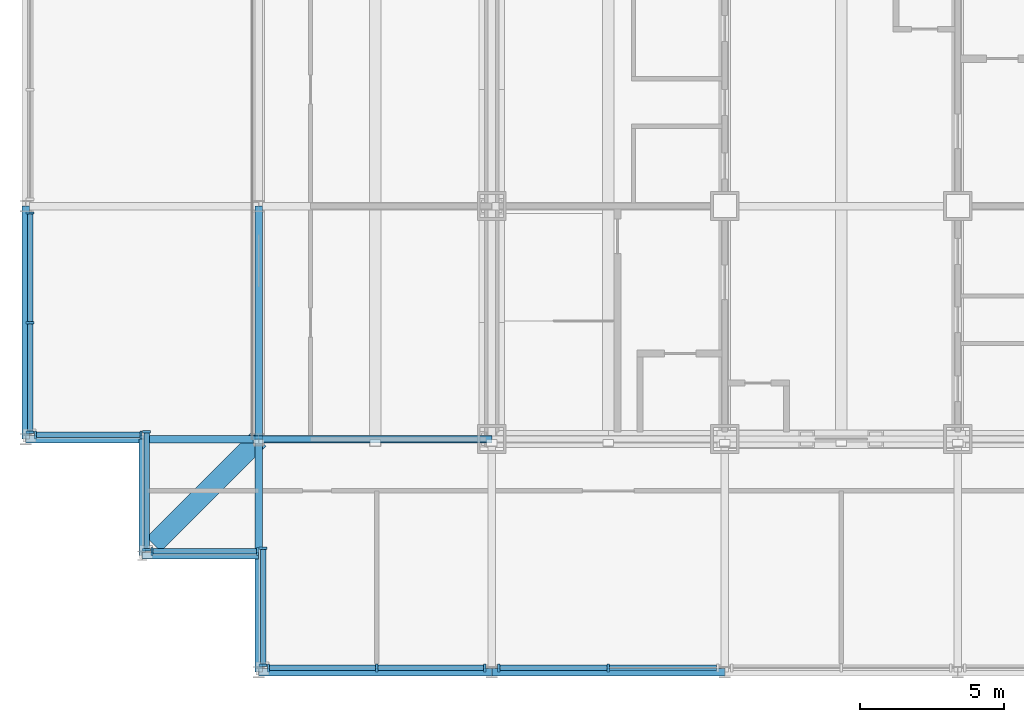
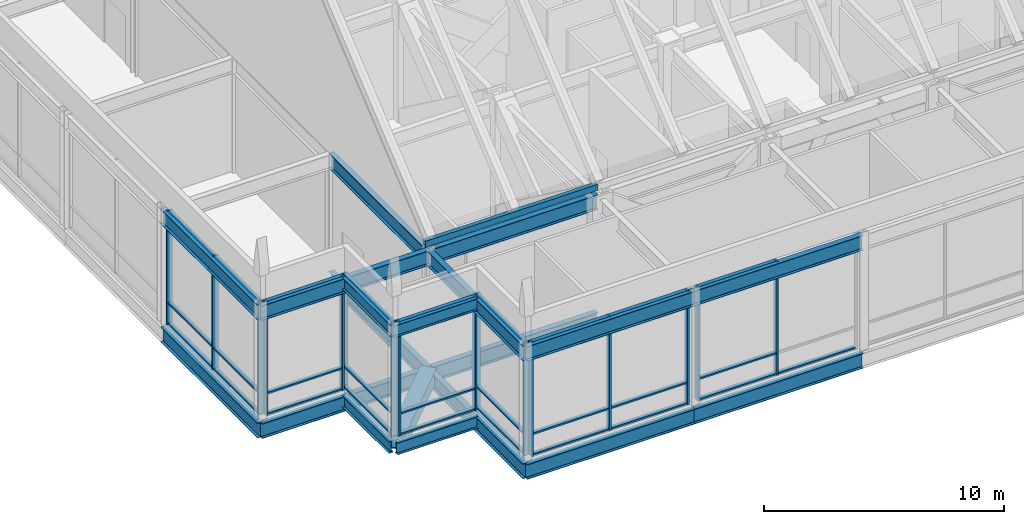
# One storey, part 5 of 22: 44 members, 20 beams, 7 elements without a shape of their own.
"""IFC4 building model written with IfcOpenShell, lengths in metres."""

from ifc_helpers import new_model, si_unit, direction, frame, origin, origin_2d, place, context, subcontext, project, spatial, rectangle, hollow_rectangle, i_section, extrude, material, material_profile, profile_set, type_object, element, aggregate, save


model = new_model("IFC4")

# Units and contexts
model_context = context("Model", 3, precision=1e-05, world=origin(), true_north=direction((0.0, 1.0)))
body_context = subcontext(model_context, "Body", "Model", "MODEL_VIEW")
ifc_project = project(units=[si_unit("LENGTHUNIT", "METRE"), si_unit("AREAUNIT", "SQUARE_METRE"), si_unit("VOLUMEUNIT", "CUBIC_METRE"), si_unit("PLANEANGLEUNIT", "RADIAN"), si_unit("MASSUNIT", "GRAM", prefix="KILO")], contexts=[model_context])

# Site, building, storey
site_placement = place(None, origin())
site = spatial("IfcSite", under=ifc_project, at=site_placement, CompositionType="ELEMENT")
building_placement = place(site_placement, origin())
building = spatial("IfcBuilding", under=site, at=building_placement, Name="Kopane Lantern Tower", CompositionType="ELEMENT")
storey_placement = place(building_placement, frame((0.0, 0.0, 303.89990234375)))
storey = spatial("IfcBuildingStorey", under=building, at=storey_placement, Name="L77", CompositionType="ELEMENT", Elevation=303.89990234375)

# Beams
ifc_material_1 = material(Name="Steel S355JR", Category="steel")
ifc_material_profile_1 = material_profile(ifc_material_1, hollow_rectangle(XDim=0.699951171875, YDim=0.699951171875, WallThickness=0.06005859375, at=origin_2d()), Name="BOX 700x700x60")
ifc_profile_set_1 = profile_set([ifc_material_profile_1], Name="Steel S355JR")
beam_type_1 = type_object("IfcBeamType", Name="CORNER TIE BEAM BOX 700x700x60", PredefinedType="BEAM", material=ifc_profile_set_1)
beam_1_placement = place(storey_placement, frame((4.447509765625, 20.6474609375, -0.559814453125), z_axis=(0.707106781187, 0.707106781187, 0.0), x_axis=(-0.707106781187, 0.707106781187, 0.0)))
element("IfcBeam", 1, at=beam_1_placement, inside=storey, type_object=beam_type_1, Name="Corner Tie Beam L77", PredefinedType="BEAM", context=body_context, shape_type="SweptSolid", body=[
    extrude(hollow_rectangle(XDim=0.699951171875, YDim=0.699951171875, WallThickness=0.06005859375, at=origin_2d()), origin(), (0.0, 0.0, 1.0), 5.16552734375),
])
ifc_material_2 = material(Name="Steel S355JR", Category="steel")
ifc_material_profile_2 = material_profile(ifc_material_2, i_section(OverallWidth=0.22900390625, OverallDepth=0.6123046875, WebThickness=0.011962890625, FlangeThickness=0.01953125, FilletRadius=0.0126953125, at=origin_2d()), Name="UB 610x229x125")
ifc_profile_set_2 = profile_set([ifc_material_profile_2], Name="Steel S355JR")
beam_type_2 = type_object("IfcBeamType", Name="EDGE BEAM UB 610x229x125", PredefinedType="BEAM", material=ifc_profile_set_2)
beam_2_placement = place(storey_placement, frame((4.050048828125, 20.40380859375, -0.51611328125), z_axis=(0.0, 1.0, 0.0), x_axis=(-1.0, 0.0, 0.0)))
element("IfcBeam", 2, at=beam_2_placement, inside=storey, type_object=beam_type_2, Name="Edge Beam L77", PredefinedType="BEAM", context=body_context, shape_type="SweptSolid", body=[
    extrude(i_section(OverallWidth=0.22900390625, OverallDepth=0.6123046875, WebThickness=0.011962890625, FlangeThickness=0.01953125, FilletRadius=0.0126953125, at=origin_2d()), origin(), (0.0, 0.0, 1.0), 3.896240234375),
])
beam_3_placement = place(storey_placement, frame((4.20361328125, 20.25, -0.51611328125), z_axis=(1.0, 0.0, 0.0), x_axis=(0.0, 1.0, 0.0)))
element("IfcBeam", 3, at=beam_3_placement, inside=storey, type_object=beam_type_2, Name="Edge Beam L77", PredefinedType="BEAM", context=body_context, shape_type="SweptSolid", body=[
    extrude(i_section(OverallWidth=0.22900390625, OverallDepth=0.6123046875, WebThickness=0.011962890625, FlangeThickness=0.01953125, FilletRadius=0.0126953125, at=origin_2d()), origin(), (0.0, 0.0, 1.0), 3.896484375),
])
for number, where, z_axis, x_axis, name in (
    (4, (4.050048828125, 20.25, 5.493896484375), (1.0, 0.0, 0.0), (0.0, 1.0, 0.0), "Edge Beam roof"),
    (5, (4.050048828125, 20.25, 5.493896484375), (0.0, 1.0, 0.0), (-1.0, 0.0, 0.0), "Edge Beam roof"),
):
    element("IfcBeam", number, at=place(storey_placement, frame(where, z_axis=z_axis, x_axis=x_axis)), inside=storey, type_object=beam_type_2, Name=name, PredefinedType="BEAM", context=body_context, shape_type="SweptSolid", body=[
        extrude(i_section(OverallWidth=0.22900390625, OverallDepth=0.6123046875, WebThickness=0.011962890625, FlangeThickness=0.01953125, FilletRadius=0.0126953125, at=origin_2d()), origin(), (0.0, 0.0, 1.0), 4.050048828125),
    ])
ifc_material_3 = material(Name="Steel S355JR", Category="steel")
ifc_material_profile_3 = material_profile(ifc_material_3, i_section(OverallWidth=0.2666015625, OverallDepth=0.76220703125, WebThickness=0.014404296875, FlangeThickness=0.021484375, FilletRadius=0.0166015625, at=origin_2d()), Name="UB 762x267x173")
ifc_profile_set_3 = profile_set([ifc_material_profile_3], Name="Steel S355JR")
beam_type_3 = type_object("IfcBeamType", Name="GIRDER UB 762x267x173", PredefinedType="BEAM", material=ifc_profile_set_3)
beam_4_placement = place(storey_placement, frame((0.0, 24.300048828125, -0.591064453125), z_axis=(0.0, 1.0, 0.0), x_axis=(-1.0, 0.0, 0.0)))
element("IfcBeam", 6, at=beam_4_placement, inside=storey, type_object=beam_type_3, Name="Girder L77", PredefinedType="BEAM", context=body_context, shape_type="SweptSolid", body=[
    extrude(i_section(OverallWidth=0.2666015625, OverallDepth=0.76220703125, WebThickness=0.014404296875, FlangeThickness=0.021484375, FilletRadius=0.0166015625, at=origin_2d()), origin(), (0.0, 0.0, 1.0), 8.099853515625),
])
for number, where, z_axis, x_axis, name in (
    (7, (0.0, 24.300048828125, -0.591064453125), (1.0, 0.0, 0.0), (0.0, 1.0, 0.0), "Girder L77"),
    (8, (8.10009765625, 16.199951171875, -0.591064453125), (0.0, 1.0, 0.0), (-1.0, 0.0, 0.0), "Girder L77"),
):
    element("IfcBeam", number, at=place(storey_placement, frame(where, z_axis=z_axis, x_axis=x_axis)), inside=storey, type_object=beam_type_3, Name=name, PredefinedType="BEAM", context=body_context, shape_type="SweptSolid", body=[
        extrude(i_section(OverallWidth=0.2666015625, OverallDepth=0.76220703125, WebThickness=0.014404296875, FlangeThickness=0.021484375, FilletRadius=0.0166015625, at=origin_2d()), origin(), (0.0, 0.0, 1.0), 8.10009765625),
    ])
for number, where, z_axis, x_axis, name in (
    (9, (8.10009765625, 16.199951171875, -0.591064453125), (1.0, 0.0, 0.0), (0.0, 1.0, 0.0), "Girder L77"),
    (10, (8.10009765625, 24.300048828125, -0.591064453125), (0.0, 1.0, 0.0), (-1.0, 0.0, 0.0), "Girder L77"),
    (11, (8.10009765625, 24.300048828125, -0.591064453125), (1.0, 0.0, 0.0), (0.0, 1.0, 0.0), "Girder L77"),
):
    element("IfcBeam", number, at=place(storey_placement, frame(where, z_axis=z_axis, x_axis=x_axis)), inside=storey, type_object=beam_type_3, Name=name, PredefinedType="BEAM", context=body_context, shape_type="SweptSolid", body=[
        extrude(i_section(OverallWidth=0.2666015625, OverallDepth=0.76220703125, WebThickness=0.014404296875, FlangeThickness=0.021484375, FilletRadius=0.0166015625, at=origin_2d()), origin(), (0.0, 0.0, 1.0), 8.099853515625),
    ])
beam_5_placement = place(storey_placement, frame((16.199951171875, 16.199951171875, -0.591064453125), z_axis=(1.0, 0.0, 0.0), x_axis=(0.0, 1.0, 0.0)))
element("IfcBeam", 12, at=beam_5_placement, inside=storey, type_object=beam_type_3, Name="Girder L77", PredefinedType="BEAM", context=body_context, shape_type="SweptSolid", body=[
    extrude(i_section(OverallWidth=0.2666015625, OverallDepth=0.76220703125, WebThickness=0.014404296875, FlangeThickness=0.021484375, FilletRadius=0.0166015625, at=origin_2d()), origin(), (0.0, 0.0, 1.0), 8.10009765625),
])
ifc_material_4 = material(Name="Steel S355JR", Category="steel")
ifc_material_profile_4 = material_profile(ifc_material_4, hollow_rectangle(XDim=0.199951171875, YDim=0.300048828125, WallThickness=0.010009765625, at=origin_2d()), Name="RHS 300x200x10")
ifc_profile_set_4 = profile_set([ifc_material_profile_4], Name="Steel S355JR")
beam_type_4 = type_object("IfcBeamType", Name="LANTERN SILL BEAM RHS 300x200x10", PredefinedType="BEAM", material=ifc_profile_set_4)
beam_6_placement = place(storey_placement, frame((7.89990234375, 24.300048828125, 6.150146484375), z_axis=(1.0, 0.0, 0.0), x_axis=(0.0, 1.0, 0.0)))
element("IfcBeam", 13, at=beam_6_placement, inside=storey, type_object=beam_type_4, Name="Lantern sill beam S", PredefinedType="BEAM", context=body_context, shape_type="SweptSolid", body=[
    extrude(hollow_rectangle(XDim=0.199951171875, YDim=0.300048828125, WallThickness=0.010009765625, at=origin_2d()), origin(), (0.0, 0.0, 1.0), 8.300048828125),
])

# Curtain wall, members
ifc_material_5 = material(Name="Aluminium and clear glass", Category="aluminium")
curtain_wall_type = type_object("IfcCurtainWallType", Name="CURTAIN WALL CW6 LANTERN CROWN", PredefinedType="USERDEFINED", material=ifc_material_5)
curtain_wall_1_placement = place(storey_placement, origin())
curtain_wall_1 = element("IfcCurtainWall", 14, at=curtain_wall_1_placement, inside=storey, type_object=curtain_wall_type, Name="Curtain wall CW6 S L77", ObjectType="CURTAIN WALL", PredefinedType="USERDEFINED")
ifc_material_6 = material(Name="Aluminium", Category="aluminium")
ifc_material_profile_5 = material_profile(ifc_material_6, rectangle(XDim=0.080078125, YDim=0.280029296875, at=origin_2d()), Name="AL 80x280")
ifc_profile_set_5 = profile_set([ifc_material_profile_5], Name="Aluminium")
member_type_1 = type_object("IfcMemberType", Name="MULLION CW6-M 80x280", PredefinedType="MULLION", material=ifc_profile_set_5)
member_1_placement = place(storey_placement, frame((8.43994140625, 16.35009765625, 0.0), z_axis=(0.0, 0.0, 1.0), x_axis=(1.0, 0.0, 0.0)))
member_1 = element("IfcMember", 15, at=member_1_placement, type_object=member_type_1, Name="CW6 mullion 1", PredefinedType="MULLION", context=body_context, shape_type="SweptSolid", body=[
    extrude(rectangle(XDim=0.080078125, YDim=0.280029296875, at=origin_2d()), origin(), (0.0, 0.0, 1.0), 5.800048828125),
])
member_2_placement = place(storey_placement, frame((12.19775390625, 16.35009765625, 0.0), z_axis=(0.0, 0.0, 1.0), x_axis=(1.0, 0.0, 0.0)))
member_2 = element("IfcMember", 16, at=member_2_placement, type_object=member_type_1, Name="CW6 mullion 2", PredefinedType="MULLION", context=body_context, shape_type="SweptSolid", body=[
    extrude(rectangle(XDim=0.080078125, YDim=0.280029296875, at=origin_2d()), origin(), (0.0, 0.0, 1.0), 5.800048828125),
])
member_3_placement = place(storey_placement, frame((15.95556640625, 16.35009765625, 0.0), z_axis=(0.0, 0.0, 1.0), x_axis=(1.0, 0.0, 0.0)))
member_3 = element("IfcMember", 17, at=member_3_placement, type_object=member_type_1, Name="CW6 mullion 3", PredefinedType="MULLION", context=body_context, shape_type="SweptSolid", body=[
    extrude(rectangle(XDim=0.080078125, YDim=0.280029296875, at=origin_2d()), origin(), (0.0, 0.0, 1.0), 5.800048828125),
])

curtain_wall_2_placement = place(storey_placement, origin())
curtain_wall_2 = element("IfcCurtainWall", 18, at=curtain_wall_2_placement, inside=storey, type_object=curtain_wall_type, Name="Curtain wall CW6 S L77", ObjectType="CURTAIN WALL", PredefinedType="USERDEFINED")
member_4_placement = place(storey_placement, frame((16.444580078125, 16.35009765625, 0.0), z_axis=(0.0, 0.0, 1.0), x_axis=(1.0, 0.0, 0.0)))
member_4 = element("IfcMember", 19, at=member_4_placement, type_object=member_type_1, Name="CW6 mullion 1", PredefinedType="MULLION", context=body_context, shape_type="SweptSolid", body=[
    extrude(rectangle(XDim=0.080078125, YDim=0.280029296875, at=origin_2d()), origin(), (0.0, 0.0, 1.0), 5.800048828125),
])
member_5_placement = place(storey_placement, frame((20.25, 16.35009765625, 0.0), z_axis=(0.0, 0.0, 1.0), x_axis=(1.0, 0.0, 0.0)))
member_5 = element("IfcMember", 20, at=member_5_placement, type_object=member_type_1, Name="CW6 mullion 2", PredefinedType="MULLION", context=body_context, shape_type="SweptSolid", body=[
    extrude(rectangle(XDim=0.080078125, YDim=0.280029296875, at=origin_2d()), origin(), (0.0, 0.0, 1.0), 5.800048828125),
])

curtain_wall_3_placement = place(storey_placement, origin())
curtain_wall_3 = element("IfcCurtainWall", 21, at=curtain_wall_3_placement, inside=storey, type_object=curtain_wall_type, Name="Curtain wall CW6 W L77", ObjectType="CURTAIN WALL", PredefinedType="USERDEFINED")
member_6_placement = place(storey_placement, frame((0.14990234375, 32.158203125, 0.0), z_axis=(0.0, 0.0, 1.0), x_axis=(0.0, -1.0, 0.0)))
member_6 = element("IfcMember", 22, at=member_6_placement, type_object=member_type_1, Name="CW6 mullion 1", PredefinedType="MULLION", context=body_context, shape_type="SweptSolid", body=[
    extrude(rectangle(XDim=0.080078125, YDim=0.280029296875, at=origin_2d()), origin(), (0.0, 0.0, 1.0), 5.800048828125),
])
member_7_placement = place(storey_placement, frame((0.14990234375, 28.35009765625, 0.0), z_axis=(0.0, 0.0, 1.0), x_axis=(0.0, -1.0, 0.0)))
member_7 = element("IfcMember", 23, at=member_7_placement, type_object=member_type_1, Name="CW6 mullion 2", PredefinedType="MULLION", context=body_context, shape_type="SweptSolid", body=[
    extrude(rectangle(XDim=0.080078125, YDim=0.280029296875, at=origin_2d()), origin(), (0.0, 0.0, 1.0), 5.800048828125),
])
member_8_placement = place(storey_placement, frame((0.14990234375, 24.541748046875, 0.0), z_axis=(0.0, 0.0, 1.0), x_axis=(0.0, -1.0, 0.0)))
member_8 = element("IfcMember", 24, at=member_8_placement, type_object=member_type_1, Name="CW6 mullion 3", PredefinedType="MULLION", context=body_context, shape_type="SweptSolid", body=[
    extrude(rectangle(XDim=0.080078125, YDim=0.280029296875, at=origin_2d()), origin(), (0.0, 0.0, 1.0), 5.800048828125),
])

curtain_wall_4_placement = place(storey_placement, origin())
curtain_wall_4 = element("IfcCurtainWall", 25, at=curtain_wall_4_placement, inside=storey, type_object=curtain_wall_type, Name="Curtain wall CW6 S L77", ObjectType="CURTAIN WALL", PredefinedType="USERDEFINED")
member_9_placement = place(storey_placement, frame((0.340087890625, 24.449951171875, 0.0), z_axis=(0.0, 0.0, 1.0), x_axis=(1.0, 0.0, 0.0)))
member_9 = element("IfcMember", 26, at=member_9_placement, type_object=member_type_1, Name="CW6 mullion 1", PredefinedType="MULLION", context=body_context, shape_type="SweptSolid", body=[
    extrude(rectangle(XDim=0.080078125, YDim=0.280029296875, at=origin_2d()), origin(), (0.0, 0.0, 1.0), 5.800048828125),
])
member_10_placement = place(storey_placement, frame((4.010009765625, 24.449951171875, 0.0), z_axis=(0.0, 0.0, 1.0), x_axis=(1.0, 0.0, 0.0)))
member_10 = element("IfcMember", 27, at=member_10_placement, type_object=member_type_1, Name="CW6 mullion 2", PredefinedType="MULLION", context=body_context, shape_type="SweptSolid", body=[
    extrude(rectangle(XDim=0.080078125, YDim=0.280029296875, at=origin_2d()), origin(), (0.0, 0.0, 1.0), 5.800048828125),
])

curtain_wall_5_placement = place(storey_placement, origin())
curtain_wall_5 = element("IfcCurtainWall", 28, at=curtain_wall_5_placement, inside=storey, type_object=curtain_wall_type, Name="Curtain wall CW6 W L77", ObjectType="CURTAIN WALL", PredefinedType="USERDEFINED")
member_11_placement = place(storey_placement, frame((4.199951171875, 24.56005859375, 0.0), z_axis=(0.0, 0.0, 1.0), x_axis=(0.0, -1.0, 0.0)))
member_11 = element("IfcMember", 29, at=member_11_placement, type_object=member_type_1, Name="CW6 mullion 1", PredefinedType="MULLION", context=body_context, shape_type="SweptSolid", body=[
    extrude(rectangle(XDim=0.080078125, YDim=0.280029296875, at=origin_2d()), origin(), (0.0, 0.0, 1.0), 5.800048828125),
])
member_12_placement = place(storey_placement, frame((4.199951171875, 20.452392578125, 0.0), z_axis=(0.0, 0.0, 1.0), x_axis=(0.0, -1.0, 0.0)))
member_12 = element("IfcMember", 30, at=member_12_placement, type_object=member_type_1, Name="CW6 mullion 2", PredefinedType="MULLION", context=body_context, shape_type="SweptSolid", body=[
    extrude(rectangle(XDim=0.080078125, YDim=0.280029296875, at=origin_2d()), origin(), (0.0, 0.0, 1.0), 5.800048828125),
])

curtain_wall_6_placement = place(storey_placement, origin())
curtain_wall_6 = element("IfcCurtainWall", 31, at=curtain_wall_6_placement, inside=storey, type_object=curtain_wall_type, Name="Curtain wall CW6 S L77", ObjectType="CURTAIN WALL", PredefinedType="USERDEFINED")
member_13_placement = place(storey_placement, frame((4.389892578125, 20.39990234375, 0.0), z_axis=(0.0, 0.0, 1.0), x_axis=(1.0, 0.0, 0.0)))
member_13 = element("IfcMember", 32, at=member_13_placement, type_object=member_type_1, Name="CW6 mullion 1", PredefinedType="MULLION", context=body_context, shape_type="SweptSolid", body=[
    extrude(rectangle(XDim=0.080078125, YDim=0.280029296875, at=origin_2d()), origin(), (0.0, 0.0, 1.0), 5.800048828125),
])
member_14_placement = place(storey_placement, frame((8.06005859375, 20.39990234375, 0.0), z_axis=(0.0, 0.0, 1.0), x_axis=(1.0, 0.0, 0.0)))
member_14 = element("IfcMember", 33, at=member_14_placement, type_object=member_type_1, Name="CW6 mullion 2", PredefinedType="MULLION", context=body_context, shape_type="SweptSolid", body=[
    extrude(rectangle(XDim=0.080078125, YDim=0.280029296875, at=origin_2d()), origin(), (0.0, 0.0, 1.0), 5.800048828125),
])

curtain_wall_7_placement = place(storey_placement, origin())
curtain_wall_7 = element("IfcCurtainWall", 34, at=curtain_wall_7_placement, inside=storey, type_object=curtain_wall_type, Name="Curtain wall CW6 W L77", ObjectType="CURTAIN WALL", PredefinedType="USERDEFINED")
member_15_placement = place(storey_placement, frame((8.25, 20.510009765625, 0.0), z_axis=(0.0, 0.0, 1.0), x_axis=(0.0, -1.0, 0.0)))
member_15 = element("IfcMember", 35, at=member_15_placement, type_object=member_type_1, Name="CW6 mullion 1", PredefinedType="MULLION", context=body_context, shape_type="SweptSolid", body=[
    extrude(rectangle(XDim=0.080078125, YDim=0.280029296875, at=origin_2d()), origin(), (0.0, 0.0, 1.0), 5.800048828125),
])
member_16_placement = place(storey_placement, frame((8.25, 16.44189453125, 0.0), z_axis=(0.0, 0.0, 1.0), x_axis=(0.0, -1.0, 0.0)))
member_16 = element("IfcMember", 36, at=member_16_placement, type_object=member_type_1, Name="CW6 mullion 2", PredefinedType="MULLION", context=body_context, shape_type="SweptSolid", body=[
    extrude(rectangle(XDim=0.080078125, YDim=0.280029296875, at=origin_2d()), origin(), (0.0, 0.0, 1.0), 5.800048828125),
])

# Beams
ifc_material_7 = material(Name="Steel S355JR", Category="steel")
ifc_material_profile_6 = material_profile(ifc_material_7, i_section(OverallWidth=0.2666015625, OverallDepth=0.76220703125, WebThickness=0.014404296875, FlangeThickness=0.021484375, FilletRadius=0.0166015625, at=origin_2d()), Name="UB 762x267x173")
ifc_profile_set_6 = profile_set([ifc_material_profile_6], Name="Steel S355JR")
beam_type_5 = type_object("IfcBeamType", Name="ROOF GIRDER UB 762x267x173", PredefinedType="BEAM", material=ifc_profile_set_6)
beam_7_placement = place(storey_placement, frame((0.0, 24.300048828125, 5.4189453125), z_axis=(0.0, 1.0, 0.0), x_axis=(-1.0, 0.0, 0.0)))
element("IfcBeam", 37, at=beam_7_placement, inside=storey, type_object=beam_type_5, Name="Roof Girder roof", PredefinedType="BEAM", context=body_context, shape_type="SweptSolid", body=[
    extrude(i_section(OverallWidth=0.2666015625, OverallDepth=0.76220703125, WebThickness=0.014404296875, FlangeThickness=0.021484375, FilletRadius=0.0166015625, at=origin_2d()), origin(), (0.0, 0.0, 1.0), 8.099853515625),
])
beam_8_placement = place(storey_placement, frame((8.10009765625, 16.199951171875, 5.4189453125), z_axis=(0.0, 1.0, 0.0), x_axis=(-1.0, 0.0, 0.0)))
element("IfcBeam", 38, at=beam_8_placement, inside=storey, type_object=beam_type_5, Name="Roof Girder roof", PredefinedType="BEAM", context=body_context, shape_type="SweptSolid", body=[
    extrude(i_section(OverallWidth=0.2666015625, OverallDepth=0.76220703125, WebThickness=0.014404296875, FlangeThickness=0.021484375, FilletRadius=0.0166015625, at=origin_2d()), origin(), (0.0, 0.0, 1.0), 8.10009765625),
])
for number, where, z_axis, x_axis, name in (
    (39, (8.10009765625, 24.300048828125, 5.4189453125), (0.0, 1.0, 0.0), (-1.0, 0.0, 0.0), "Roof Girder roof"),
    (40, (8.10009765625, 16.199951171875, 5.4189453125), (1.0, 0.0, 0.0), (0.0, 1.0, 0.0), "Roof Girder roof"),
):
    element("IfcBeam", number, at=place(storey_placement, frame(where, z_axis=z_axis, x_axis=x_axis)), inside=storey, type_object=beam_type_5, Name=name, PredefinedType="BEAM", context=body_context, shape_type="SweptSolid", body=[
        extrude(i_section(OverallWidth=0.2666015625, OverallDepth=0.76220703125, WebThickness=0.014404296875, FlangeThickness=0.021484375, FilletRadius=0.0166015625, at=origin_2d()), origin(), (0.0, 0.0, 1.0), 8.099853515625),
    ])
for number, where, z_axis, x_axis, name in (
    (41, (16.199951171875, 16.199951171875, 5.4189453125), (1.0, 0.0, 0.0), (0.0, 1.0, 0.0), "Roof Girder roof"),
    (42, (0.0, 24.300048828125, 5.4189453125), (1.0, 0.0, 0.0), (0.0, 1.0, 0.0), "Roof Girder roof"),
):
    element("IfcBeam", number, at=place(storey_placement, frame(where, z_axis=z_axis, x_axis=x_axis)), inside=storey, type_object=beam_type_5, Name=name, PredefinedType="BEAM", context=body_context, shape_type="SweptSolid", body=[
        extrude(i_section(OverallWidth=0.2666015625, OverallDepth=0.76220703125, WebThickness=0.014404296875, FlangeThickness=0.021484375, FilletRadius=0.0166015625, at=origin_2d()), origin(), (0.0, 0.0, 1.0), 8.10009765625),
    ])
beam_9_placement = place(storey_placement, frame((8.10009765625, 24.300048828125, 5.4189453125), z_axis=(1.0, 0.0, 0.0), x_axis=(0.0, 1.0, 0.0)))
element("IfcBeam", 43, at=beam_9_placement, inside=storey, type_object=beam_type_5, Name="Roof Girder roof", PredefinedType="BEAM", context=body_context, shape_type="SweptSolid", body=[
    extrude(i_section(OverallWidth=0.2666015625, OverallDepth=0.76220703125, WebThickness=0.014404296875, FlangeThickness=0.021484375, FilletRadius=0.0166015625, at=origin_2d()), origin(), (0.0, 0.0, 1.0), 8.099853515625),
])

# Member
ifc_material_8 = material(Name="Aluminium", Category="aluminium")
ifc_material_profile_7 = material_profile(ifc_material_8, rectangle(XDim=0.18994140625, YDim=0.080078125, at=origin_2d()), Name="AL 190x80")
ifc_profile_set_7 = profile_set([ifc_material_profile_7], Name="Aluminium")
member_type_2 = type_object("IfcMemberType", Name="TRANSOM CW6-T 80x190", PredefinedType="USERDEFINED", material=ifc_profile_set_7)
member_17_placement = place(storey_placement, frame((8.47998046875, 16.35009765625, 0.0400390625), z_axis=(1.0, 0.0, 0.0), x_axis=(0.0, 1.0, 0.0)))
member_17 = element("IfcMember", 44, at=member_17_placement, type_object=member_type_2, Name="CW6 transom 1.1", ObjectType="TRANSOM", PredefinedType="USERDEFINED", context=body_context, shape_type="SweptSolid", body=[
    extrude(rectangle(XDim=0.18994140625, YDim=0.080078125, at=origin_2d()), origin(), (0.0, 0.0, 1.0), 3.677734375),
])

member_18_placement = place(storey_placement, frame((8.47998046875, 16.35009765625, 1.10009765625), z_axis=(1.0, 0.0, 0.0), x_axis=(0.0, 1.0, 0.0)))
member_18 = element("IfcMember", 45, at=member_18_placement, type_object=member_type_2, Name="CW6 transom 1.2", ObjectType="TRANSOM", PredefinedType="USERDEFINED", context=body_context, shape_type="SweptSolid", body=[
    extrude(rectangle(XDim=0.18994140625, YDim=0.080078125, at=origin_2d()), origin(), (0.0, 0.0, 1.0), 3.677734375),
])

member_19_placement = place(storey_placement, frame((8.47998046875, 16.35009765625, 5.760009765625), z_axis=(1.0, 0.0, 0.0), x_axis=(0.0, 1.0, 0.0)))
member_19 = element("IfcMember", 46, at=member_19_placement, type_object=member_type_2, Name="CW6 transom 1.3", ObjectType="TRANSOM", PredefinedType="USERDEFINED", context=body_context, shape_type="SweptSolid", body=[
    extrude(rectangle(XDim=0.18994140625, YDim=0.080078125, at=origin_2d()), origin(), (0.0, 0.0, 1.0), 3.677734375),
])

member_20_placement = place(storey_placement, frame((12.23779296875, 16.35009765625, 0.0400390625), z_axis=(1.0, 0.0, 0.0), x_axis=(0.0, 1.0, 0.0)))
member_20 = element("IfcMember", 47, at=member_20_placement, type_object=member_type_2, Name="CW6 transom 2.1", ObjectType="TRANSOM", PredefinedType="USERDEFINED", context=body_context, shape_type="SweptSolid", body=[
    extrude(rectangle(XDim=0.18994140625, YDim=0.080078125, at=origin_2d()), origin(), (0.0, 0.0, 1.0), 3.677734375),
])

member_21_placement = place(storey_placement, frame((12.23779296875, 16.35009765625, 1.10009765625), z_axis=(1.0, 0.0, 0.0), x_axis=(0.0, 1.0, 0.0)))
member_21 = element("IfcMember", 48, at=member_21_placement, type_object=member_type_2, Name="CW6 transom 2.2", ObjectType="TRANSOM", PredefinedType="USERDEFINED", context=body_context, shape_type="SweptSolid", body=[
    extrude(rectangle(XDim=0.18994140625, YDim=0.080078125, at=origin_2d()), origin(), (0.0, 0.0, 1.0), 3.677734375),
])

member_22_placement = place(storey_placement, frame((12.23779296875, 16.35009765625, 5.760009765625), z_axis=(1.0, 0.0, 0.0), x_axis=(0.0, 1.0, 0.0)))
member_22 = element("IfcMember", 49, at=member_22_placement, type_object=member_type_2, Name="CW6 transom 2.3", ObjectType="TRANSOM", PredefinedType="USERDEFINED", context=body_context, shape_type="SweptSolid", body=[
    extrude(rectangle(XDim=0.18994140625, YDim=0.080078125, at=origin_2d()), origin(), (0.0, 0.0, 1.0), 3.677734375),
])

aggregate(curtain_wall_1, [member_1, member_2, member_3, member_17, member_18, member_19, member_20, member_21, member_22])

member_23_placement = place(storey_placement, frame((16.484619140625, 16.35009765625, 0.0400390625), z_axis=(1.0, 0.0, 0.0), x_axis=(0.0, 1.0, 0.0)))
member_23 = element("IfcMember", 50, at=member_23_placement, type_object=member_type_2, Name="CW6 transom 1.1", ObjectType="TRANSOM", PredefinedType="USERDEFINED", context=body_context, shape_type="SweptSolid", body=[
    extrude(rectangle(XDim=0.18994140625, YDim=0.080078125, at=origin_2d()), origin(), (0.0, 0.0, 1.0), 3.725341796875),
])

member_24_placement = place(storey_placement, frame((16.484619140625, 16.35009765625, 1.10009765625), z_axis=(1.0, 0.0, 0.0), x_axis=(0.0, 1.0, 0.0)))
member_24 = element("IfcMember", 51, at=member_24_placement, type_object=member_type_2, Name="CW6 transom 1.2", ObjectType="TRANSOM", PredefinedType="USERDEFINED", context=body_context, shape_type="SweptSolid", body=[
    extrude(rectangle(XDim=0.18994140625, YDim=0.080078125, at=origin_2d()), origin(), (0.0, 0.0, 1.0), 3.725341796875),
])

member_25_placement = place(storey_placement, frame((16.484619140625, 16.35009765625, 5.760009765625), z_axis=(1.0, 0.0, 0.0), x_axis=(0.0, 1.0, 0.0)))
member_25 = element("IfcMember", 52, at=member_25_placement, type_object=member_type_2, Name="CW6 transom 1.3", ObjectType="TRANSOM", PredefinedType="USERDEFINED", context=body_context, shape_type="SweptSolid", body=[
    extrude(rectangle(XDim=0.18994140625, YDim=0.080078125, at=origin_2d()), origin(), (0.0, 0.0, 1.0), 3.725341796875),
])

member_26_placement = place(storey_placement, frame((20.2900390625, 16.35009765625, 0.0400390625), z_axis=(1.0, 0.0, 0.0), x_axis=(0.0, 1.0, 0.0)))
member_26 = element("IfcMember", 53, at=member_26_placement, type_object=member_type_2, Name="CW6 transom 2.1", ObjectType="TRANSOM", PredefinedType="USERDEFINED", context=body_context, shape_type="SweptSolid", body=[
    extrude(rectangle(XDim=0.18994140625, YDim=0.080078125, at=origin_2d()), origin(), (0.0, 0.0, 1.0), 3.725341796875),
])

aggregate(curtain_wall_2, [member_4, member_5, member_23, member_24, member_25, member_26])

member_27_placement = place(storey_placement, frame((0.14990234375, 32.1181640625, 0.0400390625), z_axis=(0.0, -1.0, 0.0), x_axis=(1.0, 0.0, 0.0)))
member_27 = element("IfcMember", 54, at=member_27_placement, type_object=member_type_2, Name="CW6 transom 1.1", ObjectType="TRANSOM", PredefinedType="USERDEFINED", context=body_context, shape_type="SweptSolid", body=[
    extrude(rectangle(XDim=0.18994140625, YDim=0.080078125, at=origin_2d()), origin(), (0.0, 0.0, 1.0), 3.728271484375),
])

member_28_placement = place(storey_placement, frame((0.14990234375, 32.1181640625, 1.10009765625), z_axis=(0.0, -1.0, 0.0), x_axis=(1.0, 0.0, 0.0)))
member_28 = element("IfcMember", 55, at=member_28_placement, type_object=member_type_2, Name="CW6 transom 1.2", ObjectType="TRANSOM", PredefinedType="USERDEFINED", context=body_context, shape_type="SweptSolid", body=[
    extrude(rectangle(XDim=0.18994140625, YDim=0.080078125, at=origin_2d()), origin(), (0.0, 0.0, 1.0), 3.728271484375),
])

member_29_placement = place(storey_placement, frame((0.14990234375, 32.1181640625, 5.760009765625), z_axis=(0.0, -1.0, 0.0), x_axis=(1.0, 0.0, 0.0)))
member_29 = element("IfcMember", 56, at=member_29_placement, type_object=member_type_2, Name="CW6 transom 1.3", ObjectType="TRANSOM", PredefinedType="USERDEFINED", context=body_context, shape_type="SweptSolid", body=[
    extrude(rectangle(XDim=0.18994140625, YDim=0.080078125, at=origin_2d()), origin(), (0.0, 0.0, 1.0), 3.728271484375),
])

member_30_placement = place(storey_placement, frame((0.14990234375, 28.31005859375, 0.0400390625), z_axis=(0.0, -1.0, 0.0), x_axis=(1.0, 0.0, 0.0)))
member_30 = element("IfcMember", 57, at=member_30_placement, type_object=member_type_2, Name="CW6 transom 2.1", ObjectType="TRANSOM", PredefinedType="USERDEFINED", context=body_context, shape_type="SweptSolid", body=[
    extrude(rectangle(XDim=0.18994140625, YDim=0.080078125, at=origin_2d()), origin(), (0.0, 0.0, 1.0), 3.728271484375),
])

member_31_placement = place(storey_placement, frame((0.14990234375, 28.31005859375, 1.10009765625), z_axis=(0.0, -1.0, 0.0), x_axis=(1.0, 0.0, 0.0)))
member_31 = element("IfcMember", 58, at=member_31_placement, type_object=member_type_2, Name="CW6 transom 2.2", ObjectType="TRANSOM", PredefinedType="USERDEFINED", context=body_context, shape_type="SweptSolid", body=[
    extrude(rectangle(XDim=0.18994140625, YDim=0.080078125, at=origin_2d()), origin(), (0.0, 0.0, 1.0), 3.728271484375),
])

member_32_placement = place(storey_placement, frame((0.14990234375, 28.31005859375, 5.760009765625), z_axis=(0.0, -1.0, 0.0), x_axis=(1.0, 0.0, 0.0)))
member_32 = element("IfcMember", 59, at=member_32_placement, type_object=member_type_2, Name="CW6 transom 2.3", ObjectType="TRANSOM", PredefinedType="USERDEFINED", context=body_context, shape_type="SweptSolid", body=[
    extrude(rectangle(XDim=0.18994140625, YDim=0.080078125, at=origin_2d()), origin(), (0.0, 0.0, 1.0), 3.728271484375),
])

aggregate(curtain_wall_3, [member_6, member_7, member_8, member_27, member_28, member_29, member_30, member_31, member_32])

member_33_placement = place(storey_placement, frame((0.3798828125, 24.449951171875, 0.0400390625), z_axis=(1.0, 0.0, 0.0), x_axis=(0.0, 1.0, 0.0)))
member_33 = element("IfcMember", 60, at=member_33_placement, type_object=member_type_2, Name="CW6 transom 1.1", ObjectType="TRANSOM", PredefinedType="USERDEFINED", context=body_context, shape_type="SweptSolid", body=[
    extrude(rectangle(XDim=0.18994140625, YDim=0.080078125, at=origin_2d()), origin(), (0.0, 0.0, 1.0), 3.590087890625),
])

member_34_placement = place(storey_placement, frame((0.3798828125, 24.449951171875, 1.10009765625), z_axis=(1.0, 0.0, 0.0), x_axis=(0.0, 1.0, 0.0)))
member_34 = element("IfcMember", 61, at=member_34_placement, type_object=member_type_2, Name="CW6 transom 1.2", ObjectType="TRANSOM", PredefinedType="USERDEFINED", context=body_context, shape_type="SweptSolid", body=[
    extrude(rectangle(XDim=0.18994140625, YDim=0.080078125, at=origin_2d()), origin(), (0.0, 0.0, 1.0), 3.590087890625),
])

member_35_placement = place(storey_placement, frame((0.3798828125, 24.449951171875, 5.760009765625), z_axis=(1.0, 0.0, 0.0), x_axis=(0.0, 1.0, 0.0)))
member_35 = element("IfcMember", 62, at=member_35_placement, type_object=member_type_2, Name="CW6 transom 1.3", ObjectType="TRANSOM", PredefinedType="USERDEFINED", context=body_context, shape_type="SweptSolid", body=[
    extrude(rectangle(XDim=0.18994140625, YDim=0.080078125, at=origin_2d()), origin(), (0.0, 0.0, 1.0), 3.590087890625),
])

aggregate(curtain_wall_4, [member_9, member_10, member_33, member_34, member_35])

member_36_placement = place(storey_placement, frame((4.199951171875, 24.52001953125, 0.0400390625), z_axis=(0.0, -1.0, 0.0), x_axis=(1.0, 0.0, 0.0)))
member_36 = element("IfcMember", 63, at=member_36_placement, type_object=member_type_2, Name="CW6 transom 1.1", ObjectType="TRANSOM", PredefinedType="USERDEFINED", context=body_context, shape_type="SweptSolid", body=[
    extrude(rectangle(XDim=0.18994140625, YDim=0.080078125, at=origin_2d()), origin(), (0.0, 0.0, 1.0), 4.02783203125),
])

member_37_placement = place(storey_placement, frame((4.199951171875, 24.52001953125, 1.10009765625), z_axis=(0.0, -1.0, 0.0), x_axis=(1.0, 0.0, 0.0)))
member_37 = element("IfcMember", 64, at=member_37_placement, type_object=member_type_2, Name="CW6 transom 1.2", ObjectType="TRANSOM", PredefinedType="USERDEFINED", context=body_context, shape_type="SweptSolid", body=[
    extrude(rectangle(XDim=0.18994140625, YDim=0.080078125, at=origin_2d()), origin(), (0.0, 0.0, 1.0), 4.02783203125),
])

member_38_placement = place(storey_placement, frame((4.199951171875, 24.52001953125, 5.760009765625), z_axis=(0.0, -1.0, 0.0), x_axis=(1.0, 0.0, 0.0)))
member_38 = element("IfcMember", 65, at=member_38_placement, type_object=member_type_2, Name="CW6 transom 1.3", ObjectType="TRANSOM", PredefinedType="USERDEFINED", context=body_context, shape_type="SweptSolid", body=[
    extrude(rectangle(XDim=0.18994140625, YDim=0.080078125, at=origin_2d()), origin(), (0.0, 0.0, 1.0), 4.02783203125),
])

aggregate(curtain_wall_5, [member_11, member_12, member_36, member_37, member_38])

member_39_placement = place(storey_placement, frame((4.429931640625, 20.39990234375, 0.0400390625), z_axis=(1.0, 0.0, 0.0), x_axis=(0.0, 1.0, 0.0)))
member_39 = element("IfcMember", 66, at=member_39_placement, type_object=member_type_2, Name="CW6 transom 1.1", ObjectType="TRANSOM", PredefinedType="USERDEFINED", context=body_context, shape_type="SweptSolid", body=[
    extrude(rectangle(XDim=0.18994140625, YDim=0.080078125, at=origin_2d()), origin(), (0.0, 0.0, 1.0), 3.590087890625),
])

member_40_placement = place(storey_placement, frame((4.429931640625, 20.39990234375, 1.10009765625), z_axis=(1.0, 0.0, 0.0), x_axis=(0.0, 1.0, 0.0)))
member_40 = element("IfcMember", 67, at=member_40_placement, type_object=member_type_2, Name="CW6 transom 1.2", ObjectType="TRANSOM", PredefinedType="USERDEFINED", context=body_context, shape_type="SweptSolid", body=[
    extrude(rectangle(XDim=0.18994140625, YDim=0.080078125, at=origin_2d()), origin(), (0.0, 0.0, 1.0), 3.590087890625),
])

member_41_placement = place(storey_placement, frame((4.429931640625, 20.39990234375, 5.760009765625), z_axis=(1.0, 0.0, 0.0), x_axis=(0.0, 1.0, 0.0)))
member_41 = element("IfcMember", 68, at=member_41_placement, type_object=member_type_2, Name="CW6 transom 1.3", ObjectType="TRANSOM", PredefinedType="USERDEFINED", context=body_context, shape_type="SweptSolid", body=[
    extrude(rectangle(XDim=0.18994140625, YDim=0.080078125, at=origin_2d()), origin(), (0.0, 0.0, 1.0), 3.590087890625),
])

aggregate(curtain_wall_6, [member_13, member_14, member_39, member_40, member_41])

member_42_placement = place(storey_placement, frame((8.25, 20.469970703125, 0.0400390625), z_axis=(0.0, -1.0, 0.0), x_axis=(1.0, 0.0, 0.0)))
member_42 = element("IfcMember", 69, at=member_42_placement, type_object=member_type_2, Name="CW6 transom 1.1", ObjectType="TRANSOM", PredefinedType="USERDEFINED", context=body_context, shape_type="SweptSolid", body=[
    extrude(rectangle(XDim=0.18994140625, YDim=0.080078125, at=origin_2d()), origin(), (0.0, 0.0, 1.0), 3.98828125),
])

member_43_placement = place(storey_placement, frame((8.25, 20.469970703125, 1.10009765625), z_axis=(0.0, -1.0, 0.0), x_axis=(1.0, 0.0, 0.0)))
member_43 = element("IfcMember", 70, at=member_43_placement, type_object=member_type_2, Name="CW6 transom 1.2", ObjectType="TRANSOM", PredefinedType="USERDEFINED", context=body_context, shape_type="SweptSolid", body=[
    extrude(rectangle(XDim=0.18994140625, YDim=0.080078125, at=origin_2d()), origin(), (0.0, 0.0, 1.0), 3.98828125),
])

member_44_placement = place(storey_placement, frame((8.25, 20.469970703125, 5.760009765625), z_axis=(0.0, -1.0, 0.0), x_axis=(1.0, 0.0, 0.0)))
member_44 = element("IfcMember", 71, at=member_44_placement, type_object=member_type_2, Name="CW6 transom 1.3", ObjectType="TRANSOM", PredefinedType="USERDEFINED", context=body_context, shape_type="SweptSolid", body=[
    extrude(rectangle(XDim=0.18994140625, YDim=0.080078125, at=origin_2d()), origin(), (0.0, 0.0, 1.0), 3.98828125),
])

aggregate(curtain_wall_7, [member_15, member_16, member_42, member_43, member_44])

save(model, "model.ifc")
